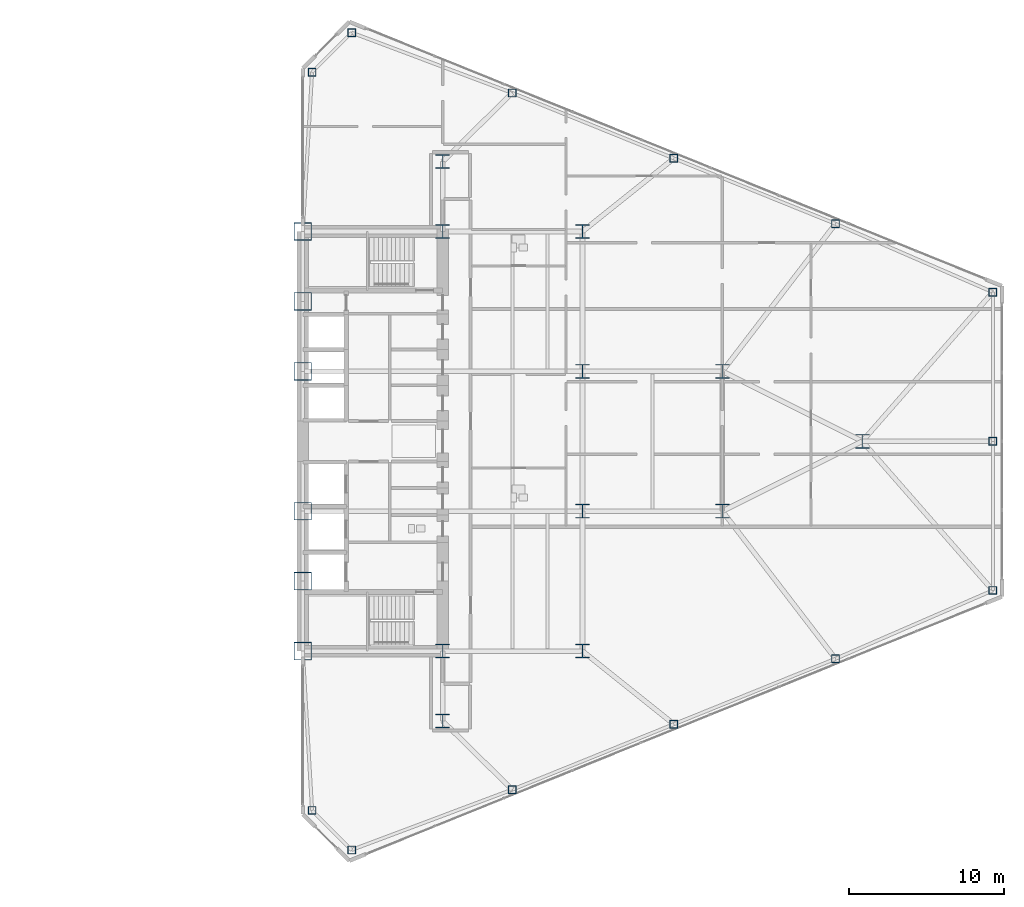
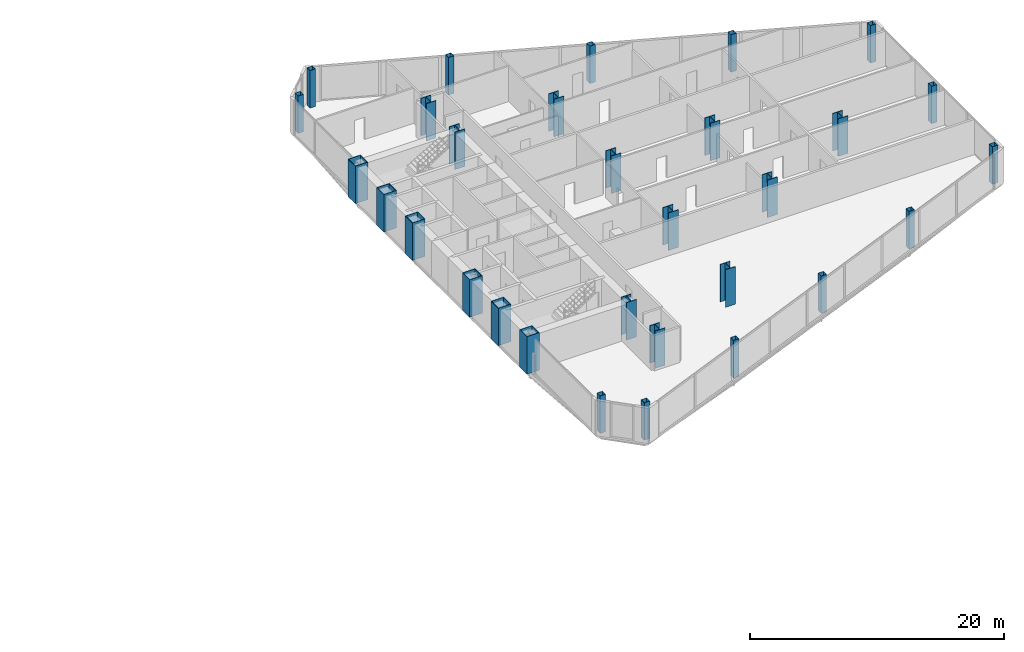
# One storey, part 2 of 25: 30 columns.
"""IFC4 building model written with IfcOpenShell, lengths in metres."""

from ifc_helpers import new_model, si_unit, direction, frame, origin, origin_2d, place, context, subcontext, project, spatial, hollow_rectangle, i_section, extrude, source, transform, mapped, material, material_profile, profile_set, type_object, type_shapes, element, save


model = new_model("IFC4")

# Units and contexts
model_context = context("Model", 3, precision=1e-05, world=origin(), true_north=direction((0.0, 1.0)))
body_context = subcontext(model_context, "Body", "Model", "MODEL_VIEW")
ifc_project = project(units=[si_unit("LENGTHUNIT", "METRE"), si_unit("AREAUNIT", "SQUARE_METRE"), si_unit("VOLUMEUNIT", "CUBIC_METRE"), si_unit("PLANEANGLEUNIT", "RADIAN"), si_unit("MASSUNIT", "GRAM", prefix="KILO")], contexts=[model_context])

# Site, building, storey
site_placement = place(None, origin())
site = spatial("IfcSite", under=ifc_project, at=site_placement, CompositionType="ELEMENT")
building_placement = place(site_placement, origin())
building = spatial("IfcBuilding", under=site, at=building_placement, Name="Seokmaru Belvedere", CompositionType="ELEMENT")
storey_placement = place(building_placement, frame((0.0, 0.0, 58.5)))
storey = spatial("IfcBuildingStorey", under=building, at=storey_placement, Name="L15", CompositionType="ELEMENT", Elevation=58.5)

# Columns
ifc_material_1 = material(Name="Steel HSA650 (650 MPa)", Category="steel")
ifc_material_profile_1 = material_profile(ifc_material_1, hollow_rectangle(XDim=1.14990234375, YDim=1.14990234375, WallThickness=0.048095703125, at=origin_2d()), Name="BOX-1150x1150x48")
ifc_profile_set_1 = profile_set([ifc_material_profile_1], Name="Steel HSA650 (650 MPa)")
column_type_1 = type_object("IfcColumnType", Name="Portal Spine Column BOX-1150", PredefinedType="COLUMN", material=ifc_profile_set_1)
shared_shape_1 = source(origin(), body_context, "Body", "SweptSolid", [
    extrude(hollow_rectangle(XDim=1.14990234375, YDim=1.14990234375, WallThickness=0.048095703125, at=origin_2d()), origin(), (0.0, 0.0, 1.0), 3.60009765625),
])
type_shapes(column_type_1, [shared_shape_1])
for number, where, z_axis, x_axis, name in (
    (1, (27.5, -13.5, 0.0), (0.0, 0.0, 1.0), (1.0, 0.0, 0.0), "L15 Column ES1"),
    (2, (27.5, -9.0, 0.0), (0.0, 0.0, 1.0), (1.0, 0.0, 0.0), "L15 Column ES2"),
    (3, (27.5, -4.5, 0.0), (0.0, 0.0, 1.0), (1.0, 0.0, 0.0), "L15 Column ES3"),
    (4, (27.5, 4.5, 0.0), (0.0, 0.0, 1.0), (1.0, 0.0, 0.0), "L15 Column ES4"),
    (5, (27.5, 9.0, 0.0), (0.0, 0.0, 1.0), (1.0, 0.0, 0.0), "L15 Column ES5"),
    (6, (27.5, 13.5, 0.0), (0.0, 0.0, 1.0), (1.0, 0.0, 0.0), "L15 Column ES6"),
):
    element("IfcColumn", number, at=place(storey_placement, frame(where, z_axis=z_axis, x_axis=x_axis)), inside=storey, type_object=column_type_1, Name=name, PredefinedType="COLUMN", context=body_context, shape_type="MappedRepresentation", body=[
        mapped(shared_shape_1, transform((0.0, 0.0, 0.0), scale=1.0)),
    ])
ifc_material_profile_2 = material_profile(ifc_material_1, i_section(OverallWidth=0.89990234375, OverallDepth=0.89990234375, WebThickness=0.035888671875, FlangeThickness=0.054931640625, at=origin_2d()), Name="H-900x900x36x55")
ifc_profile_set_2 = profile_set([ifc_material_profile_2], Name="Steel HSA650 (650 MPa)")
column_type_2 = type_object("IfcColumnType", Name="Lower Interior Column H-900", PredefinedType="COLUMN", material=ifc_profile_set_2)
shared_shape_2 = source(origin(), body_context, "Body", "SweptSolid", [
    extrude(i_section(OverallWidth=0.89990234375, OverallDepth=0.89990234375, WebThickness=0.035888671875, FlangeThickness=0.054931640625, at=origin_2d()), origin(), (0.0, 0.0, 1.0), 3.60009765625),
])
type_shapes(column_type_2, [shared_shape_2])
for number, where, z_axis, x_axis, name in (
    (7, (36.5, -18.0, 0.0), (0.0, 0.0, 1.0), (1.0, 0.0, 0.0), "L15 Column EC1"),
    (8, (36.5, -13.5, 0.0), (0.0, 0.0, 1.0), (1.0, 0.0, 0.0), "L15 Column EC2"),
    (9, (36.5, 13.5, 0.0), (0.0, 0.0, 1.0), (1.0, 0.0, 0.0), "L15 Column EC3"),
    (10, (36.5, 18.0, 0.0), (0.0, 0.0, 1.0), (1.0, 0.0, 0.0), "L15 Column EC4"),
    (11, (45.5, -13.5, 0.0), (0.0, 0.0, 1.0), (1.0, 0.0, 0.0), "L15 Column EG5_1"),
    (12, (45.5, -4.5, 0.0), (0.0, 0.0, 1.0), (1.0, 0.0, 0.0), "L15 Column EG5_2"),
    (13, (45.5, 4.5, 0.0), (0.0, 0.0, 1.0), (1.0, 0.0, 0.0), "L15 Column EG5_3"),
    (14, (45.5, 13.5, 0.0), (0.0, 0.0, 1.0), (1.0, 0.0, 0.0), "L15 Column EG5_4"),
    (15, (54.5, -4.5, 0.0), (0.0, 0.0, 1.0), (1.0, 0.0, 0.0), "L15 Column EG4P_1"),
    (16, (54.5, 4.5, 0.0), (0.0, 0.0, 1.0), (1.0, 0.0, 0.0), "L15 Column EG4P_2"),
    (17, (63.5, 0.0, 0.0), (0.0, 0.0, 1.0), (1.0, 0.0, 0.0), "L15 Column EG3P_1"),
):
    element("IfcColumn", number, at=place(storey_placement, frame(where, z_axis=z_axis, x_axis=x_axis)), inside=storey, type_object=column_type_2, Name=name, PredefinedType="COLUMN", context=body_context, shape_type="MappedRepresentation", body=[
        mapped(shared_shape_2, transform((0.0, 0.0, 0.0), scale=1.0)),
    ])
ifc_material_2 = material(Name="Steel SM355 (355 MPa)", Category="steel")
ifc_material_profile_3 = material_profile(ifc_material_2, hollow_rectangle(XDim=0.5, YDim=0.5, WallThickness=0.02001953125, at=origin_2d()), Name="HSS-500x500x20")
ifc_profile_set_3 = profile_set([ifc_material_profile_3], Name="Steel SM355 (355 MPa)")
column_type_3 = type_object("IfcColumnType", Name="Perimeter Facet Column HSS-500", PredefinedType="COLUMN", material=ifc_profile_set_3)
shared_shape_3 = source(origin(), body_context, "Body", "SweptSolid", [
    extrude(hollow_rectangle(XDim=0.5, YDim=0.5, WallThickness=0.02001953125, at=origin_2d()), origin(), (0.0, 0.0, 1.0), 3.60009765625),
])
type_shapes(column_type_3, [shared_shape_3])
for number, where, z_axis, x_axis, name in (
    (18, (30.643310546875, -26.294677734375, 0.0), (0.0, 0.0, 1.0), (1.0, 0.0, 0.0), "L15 Column EF1"),
    (19, (71.89990234375, -9.595703125, 0.0), (0.0, 0.0, 1.0), (1.0, 0.0, 0.0), "L15 Column EF2"),
    (20, (71.89990234375, 9.595703125, 0.0), (0.0, 0.0, 1.0), (1.0, 0.0, 0.0), "L15 Column EF3"),
    (21, (30.643310546875, 26.294677734375, 0.0), (0.0, 0.0, 1.0), (1.0, 0.0, 0.0), "L15 Column EF4"),
    (22, (28.10009765625, 23.75146484375, 0.0), (0.0, 0.0, 1.0), (1.0, 0.0, 0.0), "L15 Column EF5"),
    (23, (28.10009765625, -23.75146484375, 0.0), (0.0, 0.0, 1.0), (1.0, 0.0, 0.0), "L15 Column EF6"),
    (24, (40.977294921875, -22.4140625, 0.0), (0.0, 0.0, 1.0), (1.0, 0.0, 0.0), "L15 Column EFLK_S1"),
    (25, (51.378173828125, -18.2041015625, 0.0), (0.0, 0.0, 1.0), (1.0, 0.0, 0.0), "L15 Column EFLK_S2"),
    (26, (61.779052734375, -13.994140625, 0.0), (0.0, 0.0, 1.0), (1.0, 0.0, 0.0), "L15 Column EFLK_S3"),
    (27, (40.977294921875, 22.4140625, 0.0), (0.0, 0.0, 1.0), (1.0, 0.0, 0.0), "L15 Column EFLK_N1"),
    (28, (51.378173828125, 18.2041015625, 0.0), (0.0, 0.0, 1.0), (1.0, 0.0, 0.0), "L15 Column EFLK_N2"),
    (29, (61.779052734375, 13.994140625, 0.0), (0.0, 0.0, 1.0), (1.0, 0.0, 0.0), "L15 Column EFLK_N3"),
    (30, (71.89990234375, 0.0, 0.0), (0.0, 0.0, 1.0), (1.0, 0.0, 0.0), "L15 Column EF_APXM"),
):
    element("IfcColumn", number, at=place(storey_placement, frame(where, z_axis=z_axis, x_axis=x_axis)), inside=storey, type_object=column_type_3, Name=name, PredefinedType="COLUMN", context=body_context, shape_type="MappedRepresentation", body=[
        mapped(shared_shape_3, transform((0.0, 0.0, 0.0), scale=1.0)),
    ])

save(model, "model.ifc")
